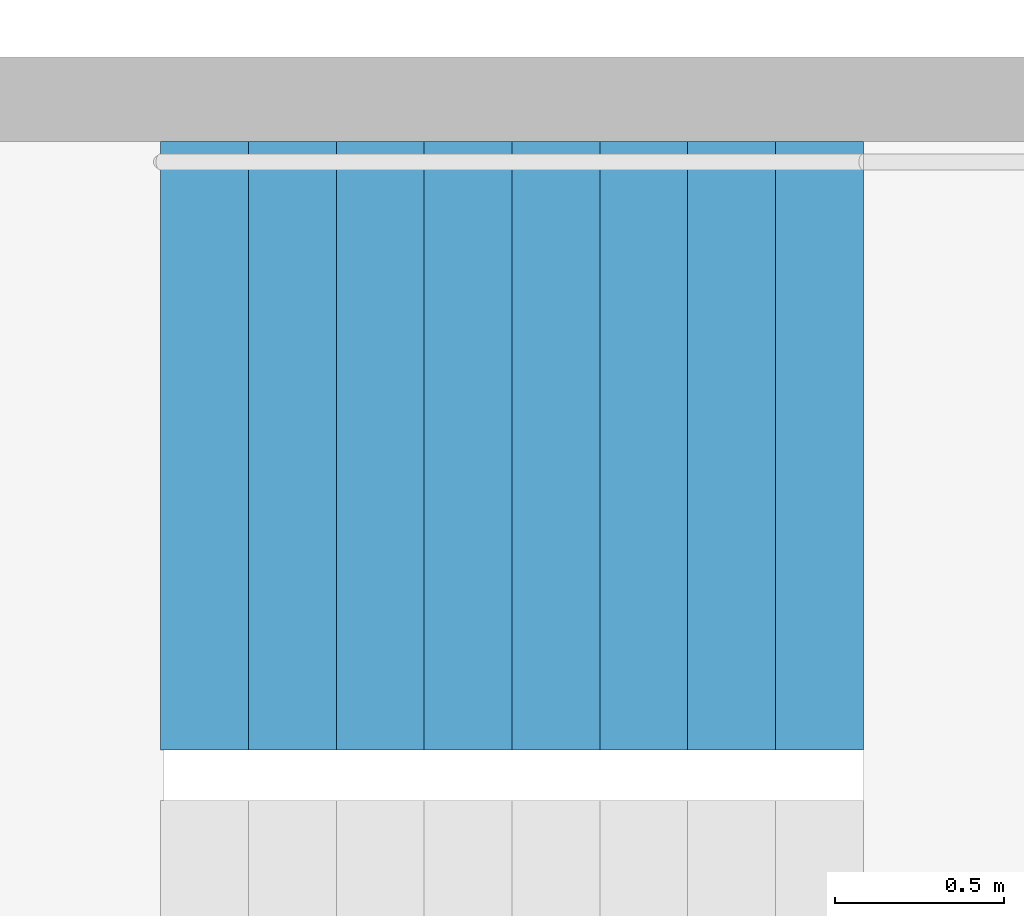
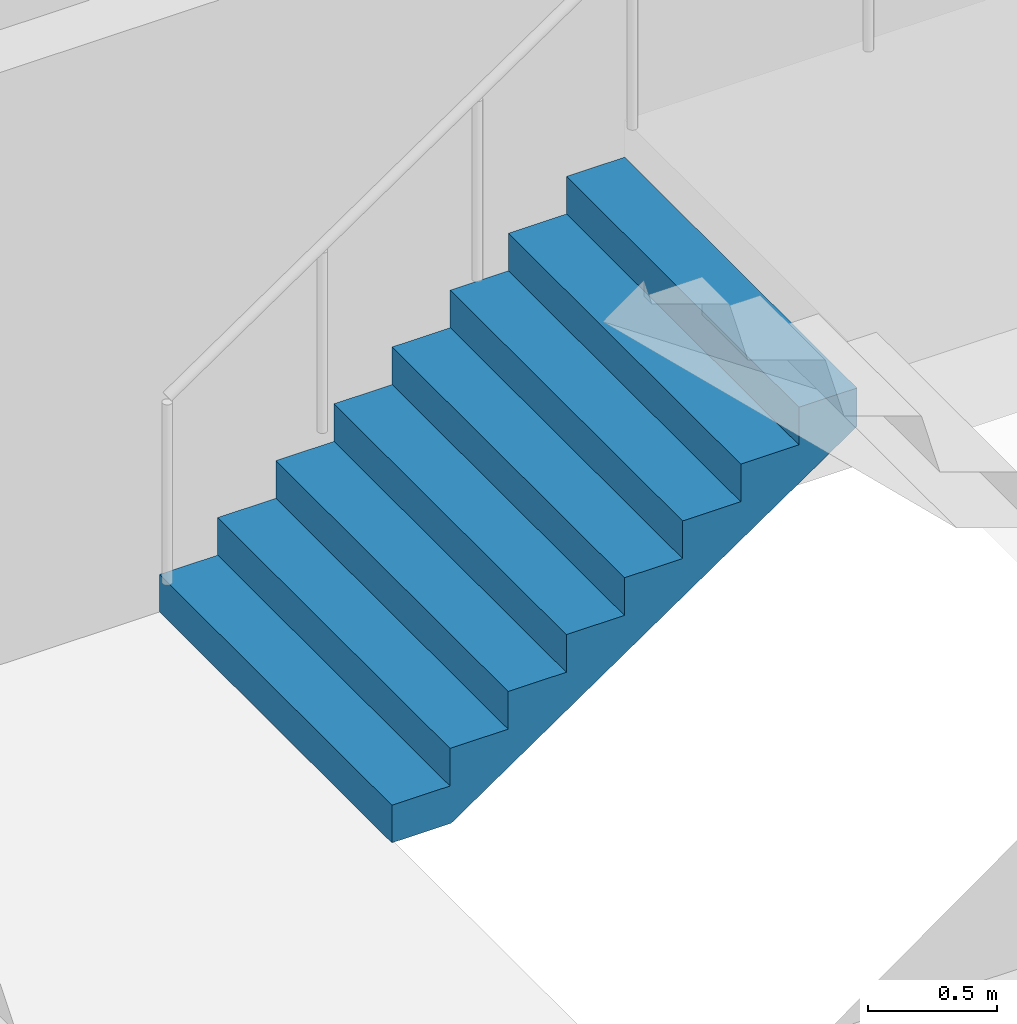
# One storey, part 26 of 29: 1 stair flight, 1 element without a shape of its own.
"""IFC4 building model written with IfcOpenShell, lengths in metres."""

from ifc_helpers import new_model, si_unit, direction, frame, origin, place, context, subcontext, project, spatial, triangles, material, type_object, element, aggregate, save


model = new_model("IFC4")

# Units and contexts
model_context = context("Model", 3, precision=1e-05, world=origin(), true_north=direction((0.0, 1.0)))
body_context = subcontext(model_context, "Body", "Model", "MODEL_VIEW")
ifc_project = project(units=[si_unit("LENGTHUNIT", "METRE"), si_unit("AREAUNIT", "SQUARE_METRE"), si_unit("VOLUMEUNIT", "CUBIC_METRE"), si_unit("PLANEANGLEUNIT", "RADIAN"), si_unit("MASSUNIT", "GRAM", prefix="KILO")], contexts=[model_context])

# Site, building, storey
site_placement = place(None, origin())
site = spatial("IfcSite", under=ifc_project, at=site_placement, CompositionType="ELEMENT")
building_placement = place(site_placement, origin())
building = spatial("IfcBuilding", under=site, at=building_placement, Name="Hakoniwa Tower and Hamabe Station Hall", CompositionType="ELEMENT")
storey_placement = place(building_placement, frame((0.0, 0.0, 75.39990234375)))
storey = spatial("IfcBuildingStorey", under=building, at=storey_placement, Name="L20", CompositionType="ELEMENT", Elevation=75.39990234375)

# Stair, stair flight
ifc_material_1 = material(Name="Concrete C40", Category="concrete")
stair_type = type_object("IfcStairType", Name="ESCAPE STAIR 1800", PredefinedType="HALF_TURN_STAIR", material=ifc_material_1)
stair_placement = place(storey_placement, origin())
stair = element("IfcStair", 1, at=stair_placement, inside=storey, type_object=stair_type, Name="Escape stair ST-4 L20", PredefinedType="HALF_TURN_STAIR")
ifc_material_2 = material(Name="Concrete C40", Category="concrete")
stair_flight_type = type_object("IfcStairFlightType", Name="STAIR FLIGHT 1800", PredefinedType="STRAIGHT", material=ifc_material_2)
stair_flight_placement = place(storey_placement, frame((23.39990234375, -4.64990234375, 0.0), z_axis=(0.0, 0.0, 1.0), x_axis=(1.0, 0.0, 0.0)))
stair_flight = element("IfcStairFlight", 2, at=stair_flight_placement, type_object=stair_flight_type, Name="ST-4 flight 1", NumberOfRisers=9, NumberOfTreads=8, PredefinedType="STRAIGHT", RiserHeight=0.177777778, TreadLength=0.26, context=body_context, shape_type="Tessellation", body=[
    triangles([(0.0, 0.89990234375, 0.0), (0.260009765625, 0.89990234375, 0.0), (0.265625, 0.89990234375, 0.0), (0.52001953125, 0.89990234375, 0.174072265625), (0.780029296875, 0.89990234375, 0.351806640625), (1.0400390625, 0.89990234375, 0.529541015625), (1.300048828125, 0.89990234375, 0.707275390625), (1.56005859375, 0.89990234375, 0.885009765625), (1.820068359375, 0.89990234375, 1.062744140625), (2.080078125, 0.89990234375, 1.24072265625), (2.080078125, 0.89990234375, 1.422119140625), (1.820068359375, 0.89990234375, 1.422119140625), (1.820068359375, 0.89990234375, 1.244384765625), (1.56005859375, 0.89990234375, 1.244384765625), (1.56005859375, 0.89990234375, 1.066650390625), (1.300048828125, 0.89990234375, 1.066650390625), (1.300048828125, 0.89990234375, 0.888916015625), (1.0400390625, 0.89990234375, 0.888916015625), (1.0400390625, 0.89990234375, 0.711181640625), (0.780029296875, 0.89990234375, 0.711181640625), (0.780029296875, 0.89990234375, 0.533447265625), (0.52001953125, 0.89990234375, 0.533447265625), (0.52001953125, 0.89990234375, 0.35546875), (0.265625, 0.89990234375, 0.35546875), (0.260009765625, 0.89990234375, 0.35546875), (0.260009765625, 0.89990234375, 0.177734375), (0.0, 0.89990234375, 0.177734375), (0.0, 0.06005859375, 0.0), (0.260009765625, 0.06005859375, 0.0), (0.265625, 0.06005859375, 0.0), (0.52001953125, 0.06005859375, 0.174072265625), (0.780029296875, 0.06005859375, 0.351806640625), (1.0400390625, 0.06005859375, 0.529541015625), (1.300048828125, 0.06005859375, 0.707275390625), (1.56005859375, 0.06005859375, 0.885009765625), (1.820068359375, 0.06005859375, 1.062744140625), (2.080078125, 0.06005859375, 1.24072265625), (2.080078125, 0.06005859375, 1.422119140625), (1.820068359375, 0.06005859375, 1.422119140625), (1.820068359375, 0.06005859375, 1.244384765625), (1.56005859375, 0.06005859375, 1.244384765625), (1.56005859375, 0.06005859375, 1.066650390625), (1.300048828125, 0.06005859375, 1.066650390625), (1.300048828125, 0.06005859375, 0.888916015625), (1.0400390625, 0.06005859375, 0.888916015625), (1.0400390625, 0.06005859375, 0.711181640625), (0.780029296875, 0.06005859375, 0.711181640625), (0.780029296875, 0.06005859375, 0.533447265625), (0.52001953125, 0.06005859375, 0.533447265625), (0.52001953125, 0.06005859375, 0.35546875), (0.265625, 0.06005859375, 0.35546875), (0.260009765625, 0.06005859375, 0.35546875), (0.260009765625, 0.06005859375, 0.177734375), (0.0, 0.06005859375, 0.177734375), (0.0, 0.04296875, 0.0), (0.260009765625, 0.04296875, 0.0), (0.265625, 0.04296875, 0.0), (0.52001953125, 0.04296875, 0.174072265625), (0.780029296875, 0.04296875, 0.351806640625), (1.0400390625, 0.04296875, 0.529541015625), (1.300048828125, 0.04296875, 0.707275390625), (1.56005859375, 0.04296875, 0.885009765625), (1.820068359375, 0.04296875, 1.062744140625), (2.080078125, 0.04296875, 1.24072265625), (2.080078125, 0.04296875, 1.422119140625), (1.820068359375, 0.04296875, 1.422119140625), (1.820068359375, 0.04296875, 1.244384765625), (1.56005859375, 0.04296875, 1.244384765625), (1.56005859375, 0.04296875, 1.066650390625), (1.300048828125, 0.04296875, 1.066650390625), (1.300048828125, 0.04296875, 0.888916015625), (1.0400390625, 0.04296875, 0.888916015625), (1.0400390625, 0.04296875, 0.711181640625), (0.780029296875, 0.04296875, 0.711181640625), (0.780029296875, 0.04296875, 0.533447265625), (0.52001953125, 0.04296875, 0.533447265625), (0.52001953125, 0.04296875, 0.35546875), (0.265625, 0.04296875, 0.35546875), (0.260009765625, 0.04296875, 0.35546875), (0.260009765625, 0.04296875, 0.177734375), (0.0, 0.04296875, 0.177734375), (0.0, 0.025634765625, 0.0), (0.260009765625, 0.025634765625, 0.0), (0.265625, 0.025634765625, 0.0), (0.52001953125, 0.025634765625, 0.174072265625), (0.780029296875, 0.025634765625, 0.351806640625), (1.0400390625, 0.025634765625, 0.529541015625), (1.300048828125, 0.025634765625, 0.707275390625), (1.56005859375, 0.025634765625, 0.885009765625), (1.820068359375, 0.025634765625, 1.062744140625), (2.080078125, 0.025634765625, 1.24072265625), (2.080078125, 0.025634765625, 1.422119140625), (1.820068359375, 0.025634765625, 1.422119140625), (1.820068359375, 0.025634765625, 1.244384765625), (1.56005859375, 0.025634765625, 1.244384765625), (1.56005859375, 0.025634765625, 1.066650390625), (1.300048828125, 0.025634765625, 1.066650390625), (1.300048828125, 0.025634765625, 0.888916015625), (1.0400390625, 0.025634765625, 0.888916015625), (1.0400390625, 0.025634765625, 0.711181640625), (0.780029296875, 0.025634765625, 0.711181640625), (0.780029296875, 0.025634765625, 0.533447265625), (0.52001953125, 0.025634765625, 0.533447265625), (0.52001953125, 0.025634765625, 0.35546875), (0.265625, 0.025634765625, 0.35546875), (0.260009765625, 0.025634765625, 0.35546875), (0.260009765625, 0.025634765625, 0.177734375), (0.0, 0.025634765625, 0.177734375), (0.0, 0.008544921875, 0.0), (0.260009765625, 0.008544921875, 0.0), (0.265625, 0.008544921875, 0.0), (0.52001953125, 0.008544921875, 0.174072265625), (0.780029296875, 0.008544921875, 0.351806640625), (1.0400390625, 0.008544921875, 0.529541015625), (1.300048828125, 0.008544921875, 0.707275390625), (1.56005859375, 0.008544921875, 0.885009765625), (1.820068359375, 0.008544921875, 1.062744140625), (2.080078125, 0.008544921875, 1.24072265625), (2.080078125, 0.008544921875, 1.422119140625), (1.820068359375, 0.008544921875, 1.422119140625), (1.820068359375, 0.008544921875, 1.244384765625), (1.56005859375, 0.008544921875, 1.244384765625), (1.56005859375, 0.008544921875, 1.066650390625), (1.300048828125, 0.008544921875, 1.066650390625), (1.300048828125, 0.008544921875, 0.888916015625), (1.0400390625, 0.008544921875, 0.888916015625), (1.0400390625, 0.008544921875, 0.711181640625), (0.780029296875, 0.008544921875, 0.711181640625), (0.780029296875, 0.008544921875, 0.533447265625), (0.52001953125, 0.008544921875, 0.533447265625), (0.52001953125, 0.008544921875, 0.35546875), (0.265625, 0.008544921875, 0.35546875), (0.260009765625, 0.008544921875, 0.35546875), (0.260009765625, 0.008544921875, 0.177734375), (0.0, 0.008544921875, 0.177734375), (0.0, -0.008544921875, 0.0), (0.260009765625, -0.008544921875, 0.0), (0.265625, -0.008544921875, 0.0), (0.52001953125, -0.008544921875, 0.174072265625), (0.780029296875, -0.008544921875, 0.351806640625), (1.0400390625, -0.008544921875, 0.529541015625), (1.300048828125, -0.008544921875, 0.707275390625), (1.56005859375, -0.008544921875, 0.885009765625), (1.820068359375, -0.008544921875, 1.062744140625), (2.080078125, -0.008544921875, 1.24072265625), (2.080078125, -0.008544921875, 1.422119140625), (1.820068359375, -0.008544921875, 1.422119140625), (1.820068359375, -0.008544921875, 1.244384765625), (1.56005859375, -0.008544921875, 1.244384765625), (1.56005859375, -0.008544921875, 1.066650390625), (1.300048828125, -0.008544921875, 1.066650390625), (1.300048828125, -0.008544921875, 0.888916015625), (1.0400390625, -0.008544921875, 0.888916015625), (1.0400390625, -0.008544921875, 0.711181640625), (0.780029296875, -0.008544921875, 0.711181640625), (0.780029296875, -0.008544921875, 0.533447265625), (0.52001953125, -0.008544921875, 0.533447265625), (0.52001953125, -0.008544921875, 0.35546875), (0.265625, -0.008544921875, 0.35546875), (0.260009765625, -0.008544921875, 0.35546875), (0.260009765625, -0.008544921875, 0.177734375), (0.0, -0.008544921875, 0.177734375), (0.0, -0.025634765625, 0.0), (0.260009765625, -0.025634765625, 0.0), (0.265625, -0.025634765625, 0.0), (0.52001953125, -0.025634765625, 0.174072265625), (0.780029296875, -0.025634765625, 0.351806640625), (1.0400390625, -0.025634765625, 0.529541015625), (1.300048828125, -0.025634765625, 0.707275390625), (1.56005859375, -0.025634765625, 0.885009765625), (1.820068359375, -0.025634765625, 1.062744140625), (2.080078125, -0.025634765625, 1.24072265625), (2.080078125, -0.025634765625, 1.422119140625), (1.820068359375, -0.025634765625, 1.422119140625), (1.820068359375, -0.025634765625, 1.244384765625), (1.56005859375, -0.025634765625, 1.244384765625), (1.56005859375, -0.025634765625, 1.066650390625), (1.300048828125, -0.025634765625, 1.066650390625), (1.300048828125, -0.025634765625, 0.888916015625), (1.0400390625, -0.025634765625, 0.888916015625), (1.0400390625, -0.025634765625, 0.711181640625), (0.780029296875, -0.025634765625, 0.711181640625), (0.780029296875, -0.025634765625, 0.533447265625), (0.52001953125, -0.025634765625, 0.533447265625), (0.52001953125, -0.025634765625, 0.35546875), (0.265625, -0.025634765625, 0.35546875), (0.260009765625, -0.025634765625, 0.35546875), (0.260009765625, -0.025634765625, 0.177734375), (0.0, -0.025634765625, 0.177734375), (0.0, -0.04296875, 0.0), (0.260009765625, -0.04296875, 0.0), (0.265625, -0.04296875, 0.0), (0.52001953125, -0.04296875, 0.174072265625), (0.780029296875, -0.04296875, 0.351806640625), (1.0400390625, -0.04296875, 0.529541015625), (1.300048828125, -0.04296875, 0.707275390625), (1.56005859375, -0.04296875, 0.885009765625), (1.820068359375, -0.04296875, 1.062744140625), (2.080078125, -0.04296875, 1.24072265625), (2.080078125, -0.04296875, 1.422119140625), (1.820068359375, -0.04296875, 1.422119140625), (1.820068359375, -0.04296875, 1.244384765625), (1.56005859375, -0.04296875, 1.244384765625), (1.56005859375, -0.04296875, 1.066650390625), (1.300048828125, -0.04296875, 1.066650390625), (1.300048828125, -0.04296875, 0.888916015625), (1.0400390625, -0.04296875, 0.888916015625), (1.0400390625, -0.04296875, 0.711181640625), (0.780029296875, -0.04296875, 0.711181640625), (0.780029296875, -0.04296875, 0.533447265625), (0.52001953125, -0.04296875, 0.533447265625), (0.52001953125, -0.04296875, 0.35546875), (0.265625, -0.04296875, 0.35546875), (0.260009765625, -0.04296875, 0.35546875), (0.260009765625, -0.04296875, 0.177734375), (0.0, -0.04296875, 0.177734375), (0.0, -0.06005859375, 0.0), (0.260009765625, -0.06005859375, 0.0), (0.265625, -0.06005859375, 0.0), (0.52001953125, -0.06005859375, 0.174072265625), (0.780029296875, -0.06005859375, 0.351806640625), (1.0400390625, -0.06005859375, 0.529541015625), (1.300048828125, -0.06005859375, 0.707275390625), (1.56005859375, -0.06005859375, 0.885009765625), (1.820068359375, -0.06005859375, 1.062744140625), (2.080078125, -0.06005859375, 1.24072265625), (2.080078125, -0.06005859375, 1.422119140625), (1.820068359375, -0.06005859375, 1.422119140625), (1.820068359375, -0.06005859375, 1.244384765625), (1.56005859375, -0.06005859375, 1.244384765625), (1.56005859375, -0.06005859375, 1.066650390625), (1.300048828125, -0.06005859375, 1.066650390625), (1.300048828125, -0.06005859375, 0.888916015625), (1.0400390625, -0.06005859375, 0.888916015625), (1.0400390625, -0.06005859375, 0.711181640625), (0.780029296875, -0.06005859375, 0.711181640625), (0.780029296875, -0.06005859375, 0.533447265625), (0.52001953125, -0.06005859375, 0.533447265625), (0.52001953125, -0.06005859375, 0.35546875), (0.265625, -0.06005859375, 0.35546875), (0.260009765625, -0.06005859375, 0.35546875), (0.260009765625, -0.06005859375, 0.177734375), (0.0, -0.06005859375, 0.177734375), (0.0, -0.89990234375, 0.0), (0.260009765625, -0.89990234375, 0.0), (0.265625, -0.89990234375, 0.0), (0.52001953125, -0.89990234375, 0.174072265625), (0.780029296875, -0.89990234375, 0.351806640625), (1.0400390625, -0.89990234375, 0.529541015625), (1.300048828125, -0.89990234375, 0.707275390625), (1.56005859375, -0.89990234375, 0.885009765625), (1.820068359375, -0.89990234375, 1.062744140625), (2.080078125, -0.89990234375, 1.24072265625), (2.080078125, -0.89990234375, 1.422119140625), (1.820068359375, -0.89990234375, 1.422119140625), (1.820068359375, -0.89990234375, 1.244384765625), (1.56005859375, -0.89990234375, 1.244384765625), (1.56005859375, -0.89990234375, 1.066650390625), (1.300048828125, -0.89990234375, 1.066650390625), (1.300048828125, -0.89990234375, 0.888916015625), (1.0400390625, -0.89990234375, 0.888916015625), (1.0400390625, -0.89990234375, 0.711181640625), (0.780029296875, -0.89990234375, 0.711181640625), (0.780029296875, -0.89990234375, 0.533447265625), (0.52001953125, -0.89990234375, 0.533447265625), (0.52001953125, -0.89990234375, 0.35546875), (0.265625, -0.89990234375, 0.35546875), (0.260009765625, -0.89990234375, 0.35546875), (0.260009765625, -0.89990234375, 0.177734375), (0.0, -0.89990234375, 0.177734375)], [[2, 27, 26], [245, 269, 270], [2, 1, 27], [245, 270, 244], [3, 25, 24], [246, 267, 268], [3, 26, 25], [246, 268, 269], [3, 2, 26], [246, 269, 245], [4, 24, 23], [247, 266, 267], [4, 3, 24], [247, 267, 246], [5, 22, 21], [248, 264, 265], [5, 23, 22], [248, 265, 266], [5, 4, 23], [248, 266, 247], [6, 20, 19], [249, 262, 263], [6, 21, 20], [249, 263, 264], [6, 5, 21], [249, 264, 248], [7, 18, 17], [250, 260, 261], [7, 19, 18], [250, 261, 262], [7, 6, 19], [250, 262, 249], [8, 16, 15], [251, 258, 259], [8, 17, 16], [251, 259, 260], [8, 7, 17], [251, 260, 250], [9, 14, 13], [252, 256, 257], [9, 15, 14], [252, 257, 258], [9, 8, 15], [252, 258, 251], [10, 12, 11], [253, 254, 255], [10, 13, 12], [253, 255, 256], [10, 9, 13], [253, 256, 252], [1, 2, 29], [1, 29, 28], [28, 29, 56], [28, 56, 55], [55, 56, 83], [55, 83, 82], [82, 83, 110], [82, 110, 109], [109, 110, 137], [109, 137, 136], [136, 137, 164], [136, 164, 163], [163, 164, 191], [163, 191, 190], [190, 191, 218], [190, 218, 217], [217, 218, 245], [217, 245, 244], [2, 3, 30], [2, 30, 29], [29, 30, 57], [29, 57, 56], [56, 57, 84], [56, 84, 83], [83, 84, 111], [83, 111, 110], [110, 111, 138], [110, 138, 137], [137, 138, 165], [137, 165, 164], [164, 165, 192], [164, 192, 191], [191, 192, 219], [191, 219, 218], [218, 219, 246], [218, 246, 245], [3, 4, 31], [3, 31, 30], [30, 31, 58], [30, 58, 57], [57, 58, 85], [57, 85, 84], [84, 85, 112], [84, 112, 111], [111, 112, 139], [111, 139, 138], [138, 139, 166], [138, 166, 165], [165, 166, 193], [165, 193, 192], [192, 193, 220], [192, 220, 219], [219, 220, 247], [219, 247, 246], [4, 5, 32], [4, 32, 31], [31, 32, 59], [31, 59, 58], [58, 59, 86], [58, 86, 85], [85, 86, 113], [85, 113, 112], [112, 113, 140], [112, 140, 139], [139, 140, 167], [139, 167, 166], [166, 167, 194], [166, 194, 193], [193, 194, 221], [193, 221, 220], [220, 221, 248], [220, 248, 247], [5, 6, 33], [5, 33, 32], [32, 33, 60], [32, 60, 59], [59, 60, 87], [59, 87, 86], [86, 87, 114], [86, 114, 113], [113, 114, 141], [113, 141, 140], [140, 141, 168], [140, 168, 167], [167, 168, 195], [167, 195, 194], [194, 195, 222], [194, 222, 221], [221, 222, 249], [221, 249, 248], [6, 7, 34], [6, 34, 33], [33, 34, 61], [33, 61, 60], [60, 61, 88], [60, 88, 87], [87, 88, 115], [87, 115, 114], [114, 115, 142], [114, 142, 141], [141, 142, 169], [141, 169, 168], [168, 169, 196], [168, 196, 195], [195, 196, 223], [195, 223, 222], [222, 223, 250], [222, 250, 249], [7, 8, 35], [7, 35, 34], [34, 35, 62], [34, 62, 61], [61, 62, 89], [61, 89, 88], [88, 89, 116], [88, 116, 115], [115, 116, 143], [115, 143, 142], [142, 143, 170], [142, 170, 169], [169, 170, 197], [169, 197, 196], [196, 197, 224], [196, 224, 223], [223, 224, 251], [223, 251, 250], [8, 9, 36], [8, 36, 35], [35, 36, 63], [35, 63, 62], [62, 63, 90], [62, 90, 89], [89, 90, 117], [89, 117, 116], [116, 117, 144], [116, 144, 143], [143, 144, 171], [143, 171, 170], [170, 171, 198], [170, 198, 197], [197, 198, 225], [197, 225, 224], [224, 225, 252], [224, 252, 251], [9, 10, 37], [9, 37, 36], [36, 37, 64], [36, 64, 63], [63, 64, 91], [63, 91, 90], [90, 91, 118], [90, 118, 117], [117, 118, 145], [117, 145, 144], [144, 145, 172], [144, 172, 171], [171, 172, 199], [171, 199, 198], [198, 199, 226], [198, 226, 225], [225, 226, 253], [225, 253, 252], [10, 11, 38], [10, 38, 37], [37, 38, 65], [37, 65, 64], [64, 65, 92], [64, 92, 91], [91, 92, 119], [91, 119, 118], [118, 119, 146], [118, 146, 145], [145, 146, 173], [145, 173, 172], [172, 173, 200], [172, 200, 199], [199, 200, 227], [199, 227, 226], [226, 227, 254], [226, 254, 253], [11, 12, 39], [11, 39, 38], [38, 39, 66], [38, 66, 65], [65, 66, 93], [65, 93, 92], [92, 93, 120], [92, 120, 119], [119, 120, 147], [119, 147, 146], [146, 147, 174], [146, 174, 173], [173, 174, 201], [173, 201, 200], [200, 201, 228], [200, 228, 227], [227, 228, 255], [227, 255, 254], [12, 13, 40], [12, 40, 39], [39, 40, 67], [39, 67, 66], [66, 67, 94], [66, 94, 93], [93, 94, 121], [93, 121, 120], [120, 121, 148], [120, 148, 147], [147, 148, 175], [147, 175, 174], [174, 175, 202], [174, 202, 201], [201, 202, 229], [201, 229, 228], [228, 229, 256], [228, 256, 255], [13, 14, 41], [13, 41, 40], [40, 41, 68], [40, 68, 67], [67, 68, 95], [67, 95, 94], [94, 95, 122], [94, 122, 121], [121, 122, 149], [121, 149, 148], [148, 149, 176], [148, 176, 175], [175, 176, 203], [175, 203, 202], [202, 203, 230], [202, 230, 229], [229, 230, 257], [229, 257, 256], [14, 15, 42], [14, 42, 41], [41, 42, 69], [41, 69, 68], [68, 69, 96], [68, 96, 95], [95, 96, 123], [95, 123, 122], [122, 123, 150], [122, 150, 149], [149, 150, 177], [149, 177, 176], [176, 177, 204], [176, 204, 203], [203, 204, 231], [203, 231, 230], [230, 231, 258], [230, 258, 257], [15, 16, 43], [15, 43, 42], [42, 43, 70], [42, 70, 69], [69, 70, 97], [69, 97, 96], [96, 97, 124], [96, 124, 123], [123, 124, 151], [123, 151, 150], [150, 151, 178], [150, 178, 177], [177, 178, 205], [177, 205, 204], [204, 205, 232], [204, 232, 231], [231, 232, 259], [231, 259, 258], [16, 17, 44], [16, 44, 43], [43, 44, 71], [43, 71, 70], [70, 71, 98], [70, 98, 97], [97, 98, 125], [97, 125, 124], [124, 125, 152], [124, 152, 151], [151, 152, 179], [151, 179, 178], [178, 179, 206], [178, 206, 205], [205, 206, 233], [205, 233, 232], [232, 233, 260], [232, 260, 259], [17, 18, 45], [17, 45, 44], [44, 45, 72], [44, 72, 71], [71, 72, 99], [71, 99, 98], [98, 99, 126], [98, 126, 125], [125, 126, 153], [125, 153, 152], [152, 153, 180], [152, 180, 179], [179, 180, 207], [179, 207, 206], [206, 207, 234], [206, 234, 233], [233, 234, 261], [233, 261, 260], [18, 19, 46], [18, 46, 45], [45, 46, 73], [45, 73, 72], [72, 73, 100], [72, 100, 99], [99, 100, 127], [99, 127, 126], [126, 127, 154], [126, 154, 153], [153, 154, 181], [153, 181, 180], [180, 181, 208], [180, 208, 207], [207, 208, 235], [207, 235, 234], [234, 235, 262], [234, 262, 261], [19, 20, 47], [19, 47, 46], [46, 47, 74], [46, 74, 73], [73, 74, 101], [73, 101, 100], [100, 101, 128], [100, 128, 127], [127, 128, 155], [127, 155, 154], [154, 155, 182], [154, 182, 181], [181, 182, 209], [181, 209, 208], [208, 209, 236], [208, 236, 235], [235, 236, 263], [235, 263, 262], [20, 21, 48], [20, 48, 47], [47, 48, 75], [47, 75, 74], [74, 75, 102], [74, 102, 101], [101, 102, 129], [101, 129, 128], [128, 129, 156], [128, 156, 155], [155, 156, 183], [155, 183, 182], [182, 183, 210], [182, 210, 209], [209, 210, 237], [209, 237, 236], [236, 237, 264], [236, 264, 263], [21, 22, 49], [21, 49, 48], [48, 49, 76], [48, 76, 75], [75, 76, 103], [75, 103, 102], [102, 103, 130], [102, 130, 129], [129, 130, 157], [129, 157, 156], [156, 157, 184], [156, 184, 183], [183, 184, 211], [183, 211, 210], [210, 211, 238], [210, 238, 237], [237, 238, 265], [237, 265, 264], [22, 23, 50], [22, 50, 49], [49, 50, 77], [49, 77, 76], [76, 77, 104], [76, 104, 103], [103, 104, 131], [103, 131, 130], [130, 131, 158], [130, 158, 157], [157, 158, 185], [157, 185, 184], [184, 185, 212], [184, 212, 211], [211, 212, 239], [211, 239, 238], [238, 239, 266], [238, 266, 265], [23, 24, 51], [23, 51, 50], [50, 51, 78], [50, 78, 77], [77, 78, 105], [77, 105, 104], [104, 105, 132], [104, 132, 131], [131, 132, 159], [131, 159, 158], [158, 159, 186], [158, 186, 185], [185, 186, 213], [185, 213, 212], [212, 213, 240], [212, 240, 239], [239, 240, 267], [239, 267, 266], [24, 25, 52], [24, 52, 51], [51, 52, 79], [51, 79, 78], [78, 79, 106], [78, 106, 105], [105, 106, 133], [105, 133, 132], [132, 133, 160], [132, 160, 159], [159, 160, 187], [159, 187, 186], [186, 187, 214], [186, 214, 213], [213, 214, 241], [213, 241, 240], [240, 241, 268], [240, 268, 267], [25, 26, 53], [25, 53, 52], [52, 53, 80], [52, 80, 79], [79, 80, 107], [79, 107, 106], [106, 107, 134], [106, 134, 133], [133, 134, 161], [133, 161, 160], [160, 161, 188], [160, 188, 187], [187, 188, 215], [187, 215, 214], [214, 215, 242], [214, 242, 241], [241, 242, 269], [241, 269, 268], [26, 27, 54], [26, 54, 53], [53, 54, 81], [53, 81, 80], [80, 81, 108], [80, 108, 107], [107, 108, 135], [107, 135, 134], [134, 135, 162], [134, 162, 161], [161, 162, 189], [161, 189, 188], [188, 189, 216], [188, 216, 215], [215, 216, 243], [215, 243, 242], [242, 243, 270], [242, 270, 269], [27, 1, 28], [27, 28, 54], [54, 28, 55], [54, 55, 81], [81, 55, 82], [81, 82, 108], [108, 82, 109], [108, 109, 135], [135, 109, 136], [135, 136, 162], [162, 136, 163], [162, 163, 189], [189, 163, 190], [189, 190, 216], [216, 190, 217], [216, 217, 243], [243, 217, 244], [243, 244, 270]], closed=True),
])
aggregate(stair, [stair_flight])

save(model, "model.ifc")
